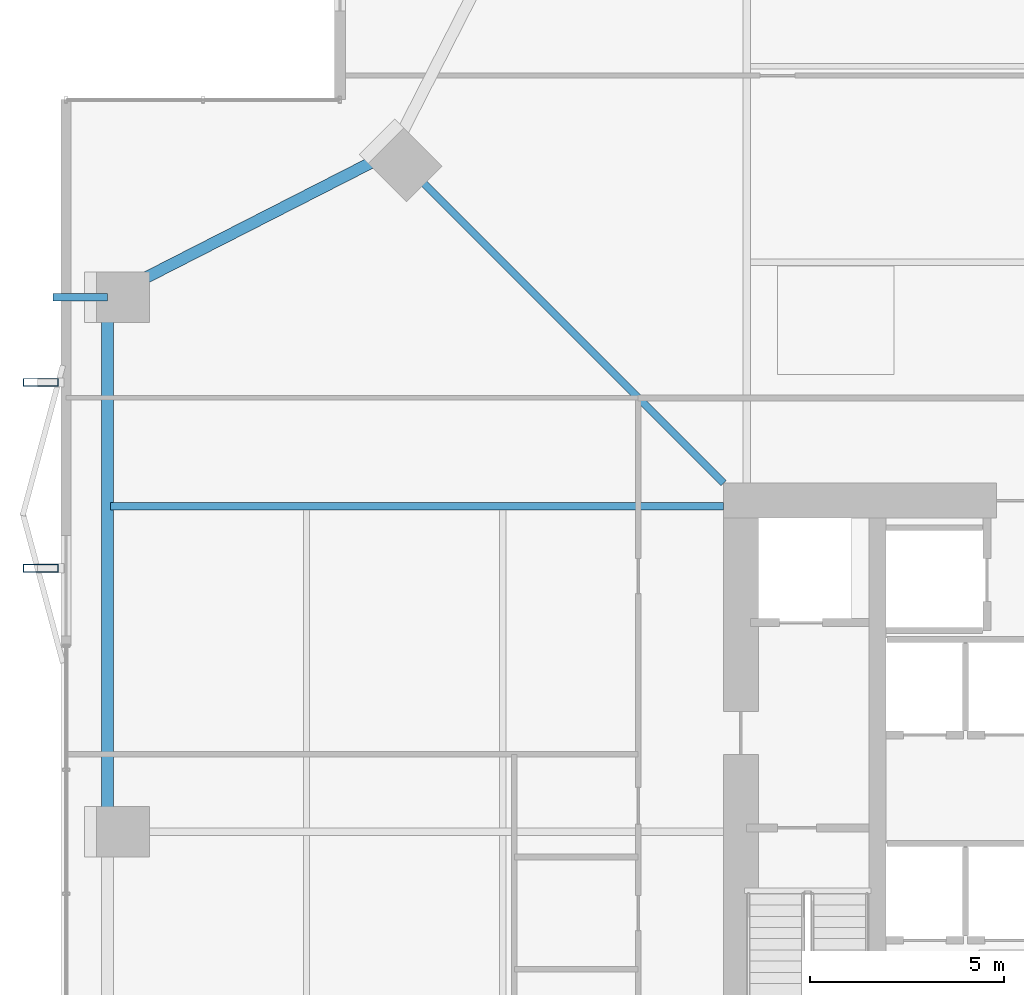
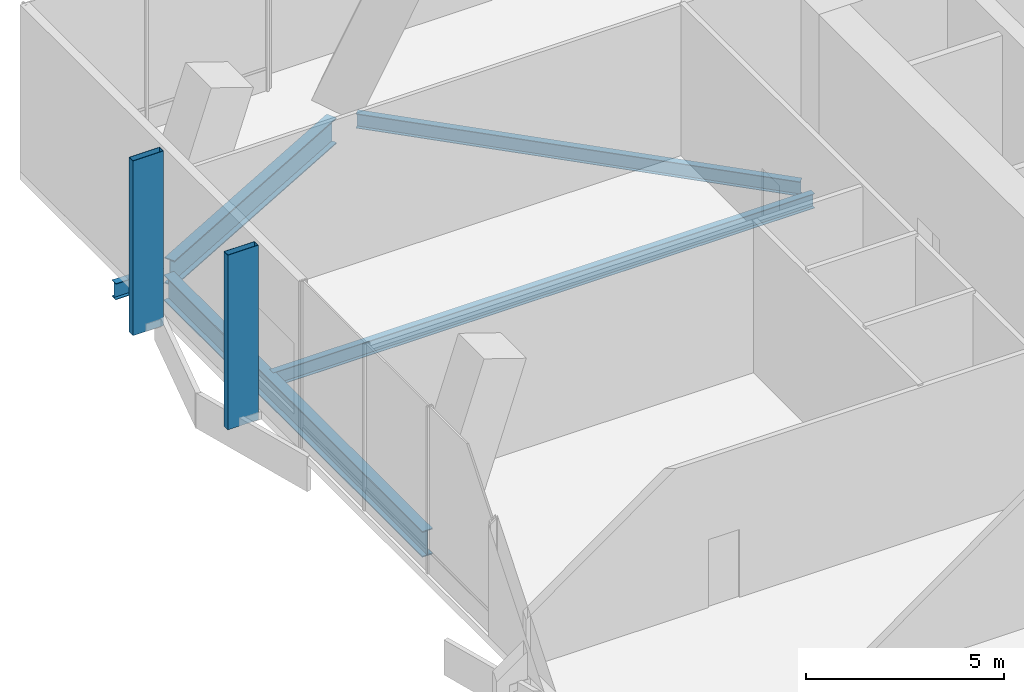
# One storey, part 15 of 28: 5 beams, 2 members.
"""IFC4 building model written with IfcOpenShell, lengths in metres."""

from ifc_helpers import new_model, si_unit, direction, frame, origin, origin_2d, place, context, subcontext, project, spatial, hollow_rectangle, i_section, extrude, material, material_profile, profile_set, type_object, element, save


model = new_model("IFC4")

# Units and contexts
model_context = context("Model", 3, precision=1e-05, world=origin(), true_north=direction((0.0, 1.0)))
body_context = subcontext(model_context, "Body", "Model", "MODEL_VIEW")
ifc_project = project(units=[si_unit("LENGTHUNIT", "METRE"), si_unit("AREAUNIT", "SQUARE_METRE"), si_unit("VOLUMEUNIT", "CUBIC_METRE"), si_unit("PLANEANGLEUNIT", "RADIAN"), si_unit("MASSUNIT", "GRAM", prefix="KILO")], contexts=[model_context])

# Site, building, storey
site_placement = place(None, origin())
site = spatial("IfcSite", under=ifc_project, at=site_placement, CompositionType="ELEMENT")
building_placement = place(site_placement, origin())
building = spatial("IfcBuilding", under=site, at=building_placement, Name="Belovzor Exchange Tower", CompositionType="ELEMENT")
storey_placement = place(building_placement, frame((0.0, 0.0, 132.89990234375)))
storey = spatial("IfcBuildingStorey", under=building, at=storey_placement, Name="L32", CompositionType="ELEMENT", Elevation=132.89990234375)

# Beams
ifc_material_1 = material(Name="Steel S355", Category="steel")
ifc_material_profile_1 = material_profile(ifc_material_1, i_section(OverallWidth=0.199951171875, OverallDepth=0.5, WebThickness=0.01025390625, FlangeThickness=0.01611328125, at=origin_2d()))
ifc_profile_set_1 = profile_set([ifc_material_profile_1], Name="Steel S355")
beam_type_1 = type_object("IfcBeamType", Name="Planted Balcony Cantilever Beam IPE 500", PredefinedType="BEAM", material=ifc_profile_set_1)
beam_1_placement = place(storey_placement, frame((3.89990234375, 42.60009765625, -0.5), z_axis=(-1.0, 0.0, 0.0), x_axis=(0.0, -1.0, 0.0)))
element("IfcBeam", 1, at=beam_1_placement, inside=storey, type_object=beam_type_1, Name="BC-500 Planted Balcony Cantilever Beam IPE 500", PredefinedType="BEAM", context=body_context, shape_type="SweptSolid", body=[
    extrude(i_section(OverallWidth=0.199951171875, OverallDepth=0.5, WebThickness=0.01025390625, FlangeThickness=0.01611328125, at=origin_2d()), origin(), (0.0, 0.0, 1.0), 1.39990234375),
])
ifc_material_2 = material(Name="Steel S355", Category="steel")
ifc_material_profile_2 = material_profile(ifc_material_2, i_section(OverallWidth=0.300048828125, OverallDepth=0.800048828125, WebThickness=0.017578125, FlangeThickness=0.032958984375, at=origin_2d()))
ifc_profile_set_2 = profile_set([ifc_material_profile_2], Name="Steel S355")
beam_type_2 = type_object("IfcBeamType", Name="Sky-Lobby Primary Girder HEB 800", PredefinedType="BEAM", material=ifc_profile_set_2)
beam_2_placement = place(storey_placement, frame((10.931884765625, 46.18798828125, -0.64990234375), z_axis=(-0.890730558493, -0.454531706448, 0.0), x_axis=(0.454531706448, -0.890730558493, 0.0)))
element("IfcBeam", 2, at=beam_2_placement, inside=storey, type_object=beam_type_2, Name="SG-1 Sky-Lobby Primary Girder HEB 800", PredefinedType="BEAM", context=body_context, shape_type="SweptSolid", body=[
    extrude(i_section(OverallWidth=0.300048828125, OverallDepth=0.800048828125, WebThickness=0.017578125, FlangeThickness=0.032958984375, at=origin_2d()), origin(), (0.0, 0.0, 1.0), 7.53759765625),
])
beam_3_placement = place(storey_placement, frame((3.89990234375, 42.241943359375, -0.64990234375), z_axis=(0.0, -1.0, 0.0), x_axis=(1.0, 0.0, 0.0)))
element("IfcBeam", 3, at=beam_3_placement, inside=storey, type_object=beam_type_2, Name="SG-1 Sky-Lobby Primary Girder HEB 800", PredefinedType="BEAM", context=body_context, shape_type="SweptSolid", body=[
    extrude(i_section(OverallWidth=0.300048828125, OverallDepth=0.800048828125, WebThickness=0.017578125, FlangeThickness=0.032958984375, at=origin_2d()), origin(), (0.0, 0.0, 1.0), 13.083984375),
])

# Members
ifc_material_3 = material(Name="Extruded Architectural Terracotta on Steel S355 Carrier", Category="masonry")
ifc_material_profile_3 = material_profile(ifc_material_3, hollow_rectangle(XDim=0.199951171875, YDim=0.89990234375, WallThickness=0.011962890625, at=origin_2d()))
ifc_profile_set_3 = profile_set([ifc_material_profile_3], Name="Extruded Architectural Terracotta on Steel S355 Carrier")
member_type = type_object("IfcMemberType", Name="Sweeping Terracotta Baguette Fin Assembly 1250", PredefinedType="USERDEFINED", material=ifc_profile_set_3)
for number, where, z_axis, x_axis, name in (
    (4, (2.175048828125, 35.60009765625, -0.25), (0.0, 0.0, 1.0), (0.0, 1.0, 0.0), "FIN-TC125 Terracotta Facade Fin L32 W3"),
    (5, (2.175048828125, 40.39990234375, -0.25), (0.0, 0.0, 1.0), (0.0, 1.0, 0.0), "FIN-TC125 Terracotta Facade Fin L32 W4"),
):
    element("IfcMember", number, at=place(storey_placement, frame(where, z_axis=z_axis, x_axis=x_axis)), inside=storey, type_object=member_type, Name=name, ObjectType="FIN", PredefinedType="USERDEFINED", context=body_context, shape_type="SweptSolid", body=[
        extrude(hollow_rectangle(XDim=0.199951171875, YDim=0.89990234375, WallThickness=0.011962890625, at=origin_2d()), origin(), (0.0, 0.0, 1.0), 5.39501953125),
    ])

# Beams
ifc_material_4 = material(Name="Steel S355", Category="steel")
ifc_material_profile_4 = material_profile(ifc_material_4, i_section(OverallWidth=0.18994140625, OverallDepth=0.449951171875, WebThickness=0.009521484375, FlangeThickness=0.0146484375, at=origin_2d()))
ifc_profile_set_4 = profile_set([ifc_material_profile_4], Name="Steel S355")
beam_type_3 = type_object("IfcBeamType", Name="Zone 2-4 Radial Composite Floor Beam IPE 450", PredefinedType="BEAM", material=ifc_profile_set_4)
beam_4_placement = place(storey_placement, frame((19.800048828125, 37.199951171875, -0.474853515625), z_axis=(-1.0, 0.0, 0.0), x_axis=(0.0, -1.0, 0.0)))
element("IfcBeam", 6, at=beam_4_placement, inside=storey, type_object=beam_type_3, Name="FB-450 Zone 2-4 Radial Composite Floor Beam IPE 450", PredefinedType="BEAM", context=body_context, shape_type="SweptSolid", body=[
    extrude(i_section(OverallWidth=0.18994140625, OverallDepth=0.449951171875, WebThickness=0.009521484375, FlangeThickness=0.0146484375, at=origin_2d()), origin(), (0.0, 0.0, 1.0), 15.824951171875),
])
beam_5_placement = place(storey_placement, frame((19.800048828125, 37.800048828125, -0.474853515625), z_axis=(-0.707117275577, 0.70709628664, 0.0), x_axis=(-0.70709628664, -0.707117275577, 0.0)))
element("IfcBeam", 7, at=beam_5_placement, inside=storey, type_object=beam_type_3, Name="FB-450 Zone 2-4 Radial Composite Floor Beam IPE 450", PredefinedType="BEAM", context=body_context, shape_type="SweptSolid", body=[
    extrude(i_section(OverallWidth=0.18994140625, OverallDepth=0.449951171875, WebThickness=0.009521484375, FlangeThickness=0.0146484375, at=origin_2d()), origin(), (0.0, 0.0, 1.0), 11.6318359375),
])

save(model, "model.ifc")
